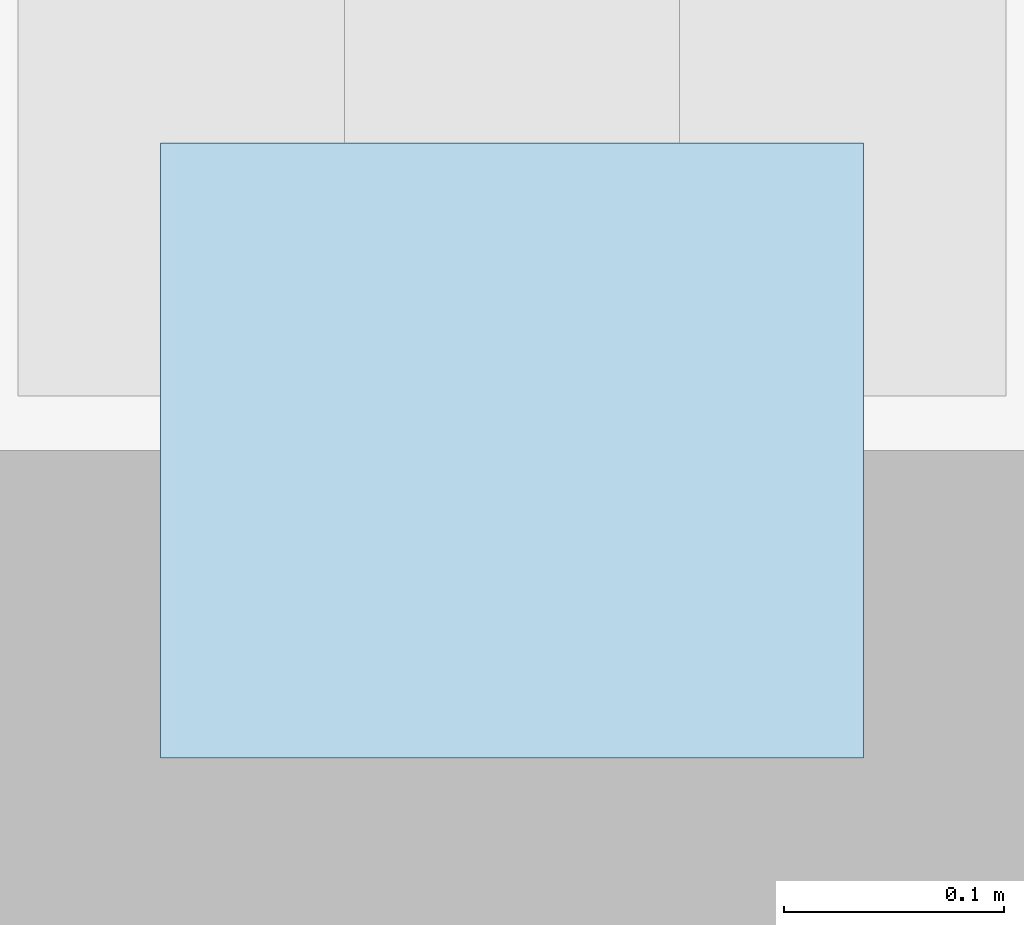
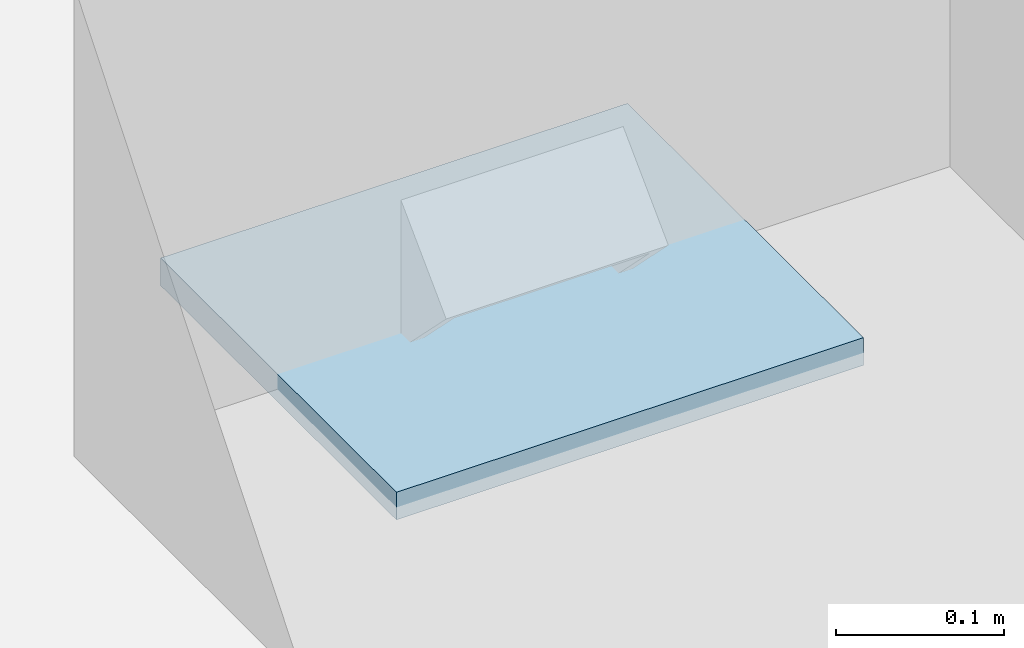
# One storey, part 50 of 71: 1 plate.
"""IFC4 building model written with IfcOpenShell, lengths in metres."""

from ifc_helpers import new_model, si_unit, direction, frame, origin, origin_2d, place, context, subcontext, project, spatial, rectangle, extrude, material, layer, layer_set, type_object, element, save


model = new_model("IFC4")

# Units and contexts
model_context = context("Model", 3, precision=1e-05, world=origin(), true_north=direction((0.0, 1.0)))
body_context = subcontext(model_context, "Body", "Model", "MODEL_VIEW")
ifc_project = project(units=[si_unit("LENGTHUNIT", "METRE"), si_unit("AREAUNIT", "SQUARE_METRE"), si_unit("VOLUMEUNIT", "CUBIC_METRE"), si_unit("PLANEANGLEUNIT", "RADIAN"), si_unit("MASSUNIT", "GRAM", prefix="KILO")], contexts=[model_context])

# Site, building, storey
site_placement = place(None, origin())
site = spatial("IfcSite", under=ifc_project, at=site_placement, CompositionType="ELEMENT")
building_placement = place(site_placement, origin())
building = spatial("IfcBuilding", under=site, at=building_placement, Name="Pellamere Symphony Hall", CompositionType="ELEMENT")
storey_placement = place(building_placement, frame((0.0, 0.0, 15.0)))
storey = spatial("IfcBuildingStorey", under=building, at=storey_placement, Name="L03", CompositionType="ELEMENT", Elevation=15.0)

# Plate
ifc_material = material(Name="Steel CSA G40.21 350W", Category="steel")
ifc_layer = layer(ifc_material, 0.02001953125, Name="Steel CSA G40.21 350W")
ifc_layer_set = layer_set([ifc_layer], Name="Steel CSA G40.21 350W")
plate_type = type_object("IfcPlateType", Name="Steel Connection Plate KP-06 320x280x20", PredefinedType="SHEET", material=ifc_layer_set)
plate_placement = place(storey_placement, frame((164.39990234375, 54.300048828125, -0.010009765625), z_axis=(0.0, 0.0, 1.0), x_axis=(1.0, 0.0, 0.0)))
element("IfcPlate", 1, at=plate_placement, inside=storey, type_object=plate_type, Name="Brace End Cap Plate 181", PredefinedType="SHEET", context=body_context, shape_type="SweptSolid", body=[
    extrude(rectangle(XDim=0.320068359375, YDim=0.280029296875, at=origin_2d()), origin(), (0.0, 0.0, 1.0), 0.02001953125),
])

save(model, "model.ifc")
